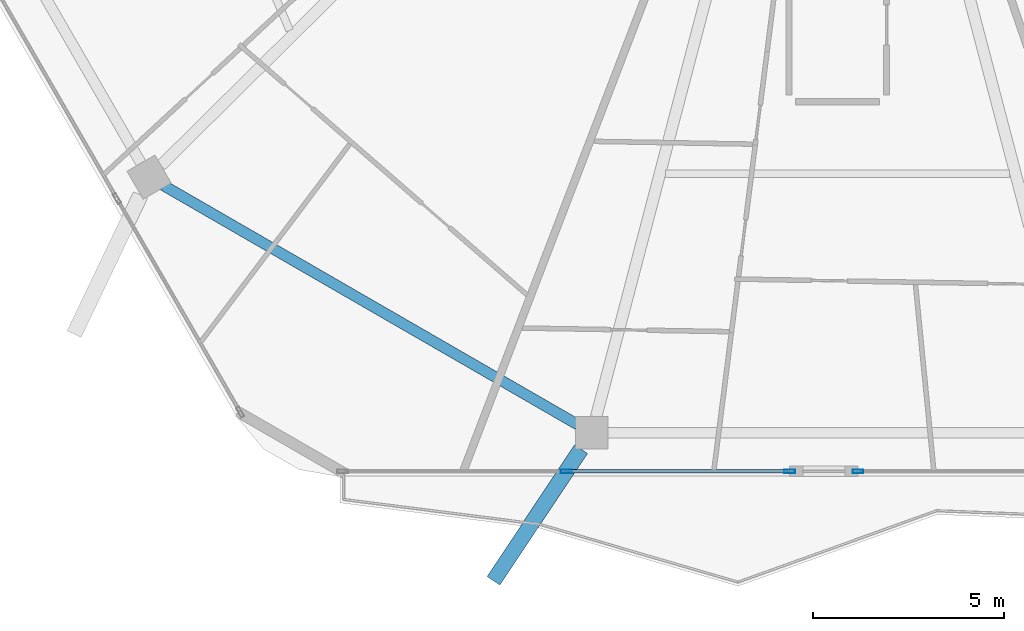
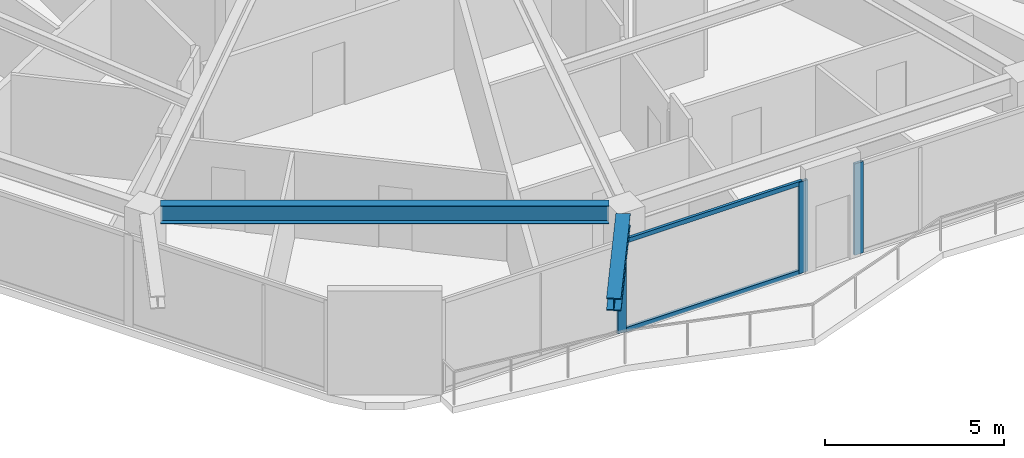
# One storey, part 3 of 26: 5 members, 2 beams, 2 elements without a shape of their own.
"""IFC4 building model written with IfcOpenShell, lengths in metres."""

from ifc_helpers import new_model, si_unit, direction, frame, origin, origin_2d, place, context, subcontext, project, spatial, hollow_rectangle, i_section, extrude, material, material_profile, profile_set, type_object, element, aggregate, save


model = new_model("IFC4")

# Units and contexts
model_context = context("Model", 3, precision=1e-05, world=origin(), true_north=direction((0.0, 1.0)))
body_context = subcontext(model_context, "Body", "Model", "MODEL_VIEW")
ifc_project = project(units=[si_unit("LENGTHUNIT", "METRE"), si_unit("AREAUNIT", "SQUARE_METRE"), si_unit("VOLUMEUNIT", "CUBIC_METRE"), si_unit("PLANEANGLEUNIT", "RADIAN"), si_unit("MASSUNIT", "GRAM", prefix="KILO")], contexts=[model_context])

# Site, building, storey
site_placement = place(None, origin())
site = spatial("IfcSite", under=ifc_project, at=site_placement, CompositionType="ELEMENT")
building_placement = place(site_placement, origin())
building = spatial("IfcBuilding", under=site, at=building_placement, Name="Zuhravey Tower", CompositionType="ELEMENT")
storey_placement = place(building_placement, frame((0.0, 0.0, 288.199951171875)))
storey = spatial("IfcBuildingStorey", under=building, at=storey_placement, Name="L73", CompositionType="ELEMENT", Elevation=288.199951171875)

# Curtain wall, member
ifc_material_1 = material(Name="Thermally broken anodised aluminium", Category="aluminium")
curtain_wall_type = type_object("IfcCurtainWallType", Name="Zone 3-4 High-Rise Curtain Wall CW4", PredefinedType="NOTDEFINED", material=ifc_material_1)
curtain_wall_1_placement = place(storey_placement, origin())
curtain_wall_1 = element("IfcCurtainWall", 1, at=curtain_wall_1_placement, inside=storey, type_object=curtain_wall_type, Name="L73 CW4 CW-L73-F5-1", PredefinedType="NOTDEFINED")
ifc_material_2 = material(Name="Anodised aluminium", Category="aluminium")
ifc_material_profile_1 = material_profile(ifc_material_2, hollow_rectangle(XDim=0.090087890625, YDim=0.284912109375, WallThickness=0.0048828125, at=origin_2d()), Name="ALU-RHS-90x285x5")
ifc_profile_set_1 = profile_set([ifc_material_profile_1], Name="Anodised aluminium")
member_type_1 = type_object("IfcMemberType", Name="Curtain-Wall Mullion 90x180", PredefinedType="MULLION", material=ifc_profile_set_1)
member_1_placement = place(storey_placement, frame((36.53125, 6.436279296875, 0.0), z_axis=(0.0, 0.0, 1.0), x_axis=(0.0, -1.0, 0.0)))
member_1 = element("IfcMember", 2, at=member_1_placement, type_object=member_type_1, Name="CW4 mullion 3", PredefinedType="MULLION", context=body_context, shape_type="SweptSolid", body=[
    extrude(hollow_rectangle(XDim=0.090087890625, YDim=0.284912109375, WallThickness=0.0048828125, at=origin_2d()), origin(), (0.0, 0.0, 1.0), 3.1220703125),
])
aggregate(curtain_wall_1, [member_1])

# Curtain wall, members
curtain_wall_2_placement = place(storey_placement, origin())
curtain_wall_2 = element("IfcCurtainWall", 3, at=curtain_wall_2_placement, inside=storey, type_object=curtain_wall_type, Name="L73 CW4 CW-L73-F5-2", PredefinedType="NOTDEFINED")
member_2_placement = place(storey_placement, frame((34.7412109375, 6.436279296875, 0.0), z_axis=(0.0, 0.0, 1.0), x_axis=(0.0, -1.0, 0.0)))
member_2 = element("IfcMember", 4, at=member_2_placement, type_object=member_type_1, Name="CW4 mullion 1", PredefinedType="MULLION", context=body_context, shape_type="SweptSolid", body=[
    extrude(hollow_rectangle(XDim=0.090087890625, YDim=0.284912109375, WallThickness=0.0048828125, at=origin_2d()), origin(), (0.0, 0.0, 1.0), 3.1220703125),
])
member_3_placement = place(storey_placement, frame((28.88671875, 6.436279296875, 0.0), z_axis=(0.0, 0.0, 1.0), x_axis=(0.0, -1.0, 0.0)))
member_3 = element("IfcMember", 5, at=member_3_placement, type_object=member_type_1, Name="CW4 mullion 2", PredefinedType="MULLION", context=body_context, shape_type="SweptSolid", body=[
    extrude(hollow_rectangle(XDim=0.090087890625, YDim=0.284912109375, WallThickness=0.0048828125, at=origin_2d()), origin(), (0.0, 0.0, 1.0), 3.1220703125),
])
ifc_material_profile_2 = material_profile(ifc_material_2, hollow_rectangle(XDim=0.090087890625, YDim=0.14990234375, WallThickness=0.0048828125, at=origin_2d()), Name="ALU-RHS-90x150x5")
ifc_profile_set_2 = profile_set([ifc_material_profile_2], Name="Anodised aluminium")
member_type_2 = type_object("IfcMemberType", Name="Curtain-Wall Transom 90x150", PredefinedType="USERDEFINED", material=ifc_profile_set_2)
member_4_placement = place(storey_placement, frame((34.6962890625, 6.436279296875, 0.045166015625), z_axis=(-1.0, 0.0, 0.0), x_axis=(0.0, -1.0, 0.0)))
member_4 = element("IfcMember", 6, at=member_4_placement, type_object=member_type_2, Name="CW4 transom 1.1", ObjectType="TRANSOM", PredefinedType="USERDEFINED", context=body_context, shape_type="SweptSolid", body=[
    extrude(hollow_rectangle(XDim=0.090087890625, YDim=0.14990234375, WallThickness=0.0048828125, at=origin_2d()), origin(), (0.0, 0.0, 1.0), 5.764404296875),
])
member_5_placement = place(storey_placement, frame((34.6962890625, 6.436279296875, 3.0771484375), z_axis=(-1.0, 0.0, 0.0), x_axis=(0.0, -1.0, 0.0)))
member_5 = element("IfcMember", 7, at=member_5_placement, type_object=member_type_2, Name="CW4 transom 1.2", ObjectType="TRANSOM", PredefinedType="USERDEFINED", context=body_context, shape_type="SweptSolid", body=[
    extrude(hollow_rectangle(XDim=0.090087890625, YDim=0.14990234375, WallThickness=0.0048828125, at=origin_2d()), origin(), (0.0, 0.0, 1.0), 5.764404296875),
])
aggregate(curtain_wall_2, [member_2, member_3, member_4, member_5])

# Beams
ifc_material_3 = material(Name="Steel SM460", Category="steel")
ifc_material_profile_3 = material_profile(ifc_material_3, i_section(OverallWidth=0.406982421875, OverallDepth=0.427978515625, WebThickness=0.02001953125, FlangeThickness=0.034912109375, at=origin_2d()), Name="H-428x407x20x35")
ifc_profile_set_3 = profile_set([ifc_material_profile_3], Name="Steel SM460")
beam_type_1 = type_object("IfcBeamType", Name="Exoskeleton Node Tie Beam H428x407", PredefinedType="BEAM", material=ifc_profile_set_3)
beam_1_placement = place(storey_placement, frame((29.274169921875, 7.01806640625, 3.3359375), z_axis=(-0.553938411893, -0.832557647151, 0.0), x_axis=(0.832557647151, -0.553938411893, 0.0)))
element("IfcBeam", 8, at=beam_1_placement, inside=storey, type_object=beam_type_1, Name="L73 Exoskeleton Node Tie NT1-09", PredefinedType="BEAM", context=body_context, shape_type="SweptSolid", body=[
    extrude(i_section(OverallWidth=0.406982421875, OverallDepth=0.427978515625, WebThickness=0.02001953125, FlangeThickness=0.034912109375, at=origin_2d()), origin(), (0.0, 0.0, 1.0), 4.142822265625),
])
ifc_material_4 = material(Name="Steel SM355", Category="steel")
ifc_material_profile_4 = material_profile(ifc_material_4, i_section(OverallWidth=0.280029296875, OverallDepth=0.6201171875, WebThickness=0.011962890625, FlangeThickness=0.02001953125, at=origin_2d()), Name="H-620x280x12x20")
ifc_profile_set_4 = profile_set([ifc_material_profile_4], Name="Steel SM355")
beam_type_2 = type_object("IfcBeamType", Name="Perimeter Ring Beam H620x280", PredefinedType="BEAM", material=ifc_profile_set_4)
beam_2_placement = place(storey_placement, frame((18.3271484375, 13.931396484375, 3.239990234375), z_axis=(0.866018312875, -0.500012281615, 0.0), x_axis=(0.500012281615, 0.866018312875, 0.0)))
element("IfcBeam", 9, at=beam_2_placement, inside=storey, type_object=beam_type_2, Name="L73 PB3 BM-L73-PB-08", PredefinedType="BEAM", context=body_context, shape_type="SweptSolid", body=[
    extrude(i_section(OverallWidth=0.280029296875, OverallDepth=0.6201171875, WebThickness=0.011962890625, FlangeThickness=0.02001953125, at=origin_2d()), origin(), (0.0, 0.0, 1.0), 12.541748046875),
])

save(model, "model.ifc")
